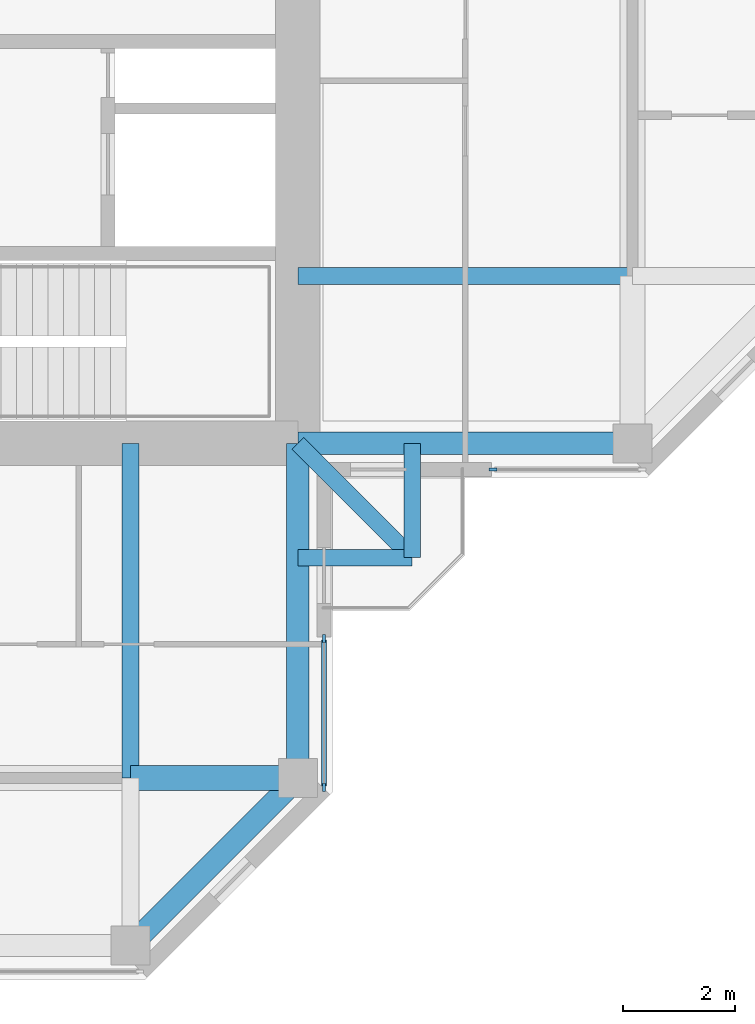
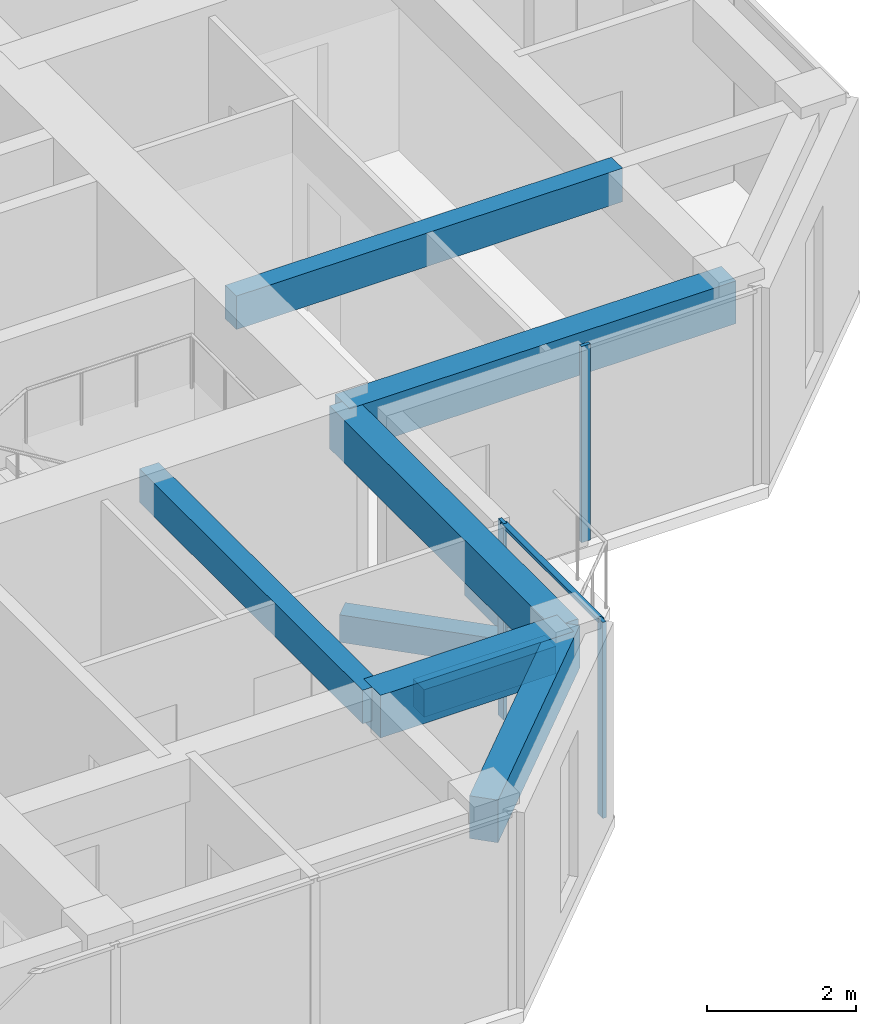
# One storey, part 3 of 13: 9 beams, 4 members, 2 elements without a shape of their own.
"""IFC4 building model written with IfcOpenShell, lengths in metres."""

from ifc_helpers import new_model, si_unit, direction, frame, origin, origin_2d, place, context, subcontext, project, spatial, rectangle, extrude, material, material_profile, profile_set, type_object, element, aggregate, save


model = new_model("IFC4")

# Units and contexts
model_context = context("Model", 3, precision=1e-05, world=origin(), true_north=direction((0.0, 1.0)))
body_context = subcontext(model_context, "Body", "Model", "MODEL_VIEW")
ifc_project = project(units=[si_unit("LENGTHUNIT", "METRE"), si_unit("AREAUNIT", "SQUARE_METRE"), si_unit("VOLUMEUNIT", "CUBIC_METRE"), si_unit("PLANEANGLEUNIT", "RADIAN"), si_unit("MASSUNIT", "GRAM", prefix="KILO")], contexts=[model_context])

# Site, building, storey
site_placement = place(None, origin())
site = spatial("IfcSite", under=ifc_project, at=site_placement, CompositionType="ELEMENT")
building_placement = place(site_placement, origin())
building = spatial("IfcBuilding", under=site, at=building_placement, Name="Torre Cruceta", CompositionType="ELEMENT")
storey_placement = place(building_placement, frame((0.0, 0.0, 261.10009765625)))
storey = spatial("IfcBuildingStorey", under=building, at=storey_placement, Name="L67", CompositionType="ELEMENT", Elevation=261.10009765625)

# Beams
ifc_material_1 = material(Name="Concrete G60 (fck 60 MPa)", Category="concrete")
ifc_material_profile_1 = material_profile(ifc_material_1, rectangle(XDim=0.300048828125, YDim=0.449951171875, at=origin_2d()), Name="RC 300X450")
ifc_profile_set_1 = profile_set([ifc_material_profile_1], Name="Concrete G60 (fck 60 MPa)")
beam_type_1 = type_object("IfcBeamType", Name="BALCONY CANTILEVER BEAM RC 300X450", PredefinedType="BEAM", material=ifc_profile_set_1)
beam_1_placement = place(storey_placement, frame((9.0, -9.0, -0.405029296875), z_axis=(0.707106781187, -0.707106781187, 0.0), x_axis=(0.707106781187, 0.707106781187, 0.0)))
element("IfcBeam", 1, at=beam_1_placement, inside=storey, type_object=beam_type_1, Name="BB1 balcony beam L67 S", PredefinedType="BEAM", context=body_context, shape_type="SweptSolid", body=[
    extrude(rectangle(XDim=0.300048828125, YDim=0.449951171875, at=origin_2d()), origin(), (0.0, 0.0, 1.0), 2.89990234375),
])
for number, where, z_axis, x_axis, name in (
    (2, (11.050537109375, -9.0, -0.405029296875), (0.0, -1.0, 0.0), (1.0, 0.0, 0.0), "BB1 balcony edge beam L67 S-X"),
    (3, (9.0, -11.050537109375, -0.405029296875), (1.0, 0.0, 0.0), (0.0, 1.0, 0.0), "BB1 balcony edge beam L67 S-Y"),
):
    element("IfcBeam", number, at=place(storey_placement, frame(where, z_axis=z_axis, x_axis=x_axis)), inside=storey, type_object=beam_type_1, Name=name, PredefinedType="BEAM", context=body_context, shape_type="SweptSolid", body=[
        extrude(rectangle(XDim=0.300048828125, YDim=0.449951171875, at=origin_2d()), origin(), (0.0, 0.0, 1.0), 2.050537109375),
    ])
ifc_material_2 = material(Name="Concrete G60 (fck 60 MPa)", Category="concrete")
ifc_material_profile_2 = material_profile(ifc_material_2, rectangle(XDim=0.300048828125, YDim=0.550048828125, at=origin_2d()), Name="RC 300X550")
ifc_profile_set_2 = profile_set([ifc_material_profile_2], Name="Concrete G60 (fck 60 MPa)")
beam_type_2 = type_object("IfcBeamType", Name="COLUMN LINE BEAM RC 300X550", PredefinedType="BEAM", material=ifc_profile_set_2)
for number, where, z_axis, x_axis, name in (
    (4, (9.0, -6.0, 2.94482421875), (1.0, 0.0, 0.0), (0.0, 1.0, 0.0), "LB10 L67 E col- 1"),
    (5, (6.0, -9.0, 2.94482421875), (0.0, -1.0, 0.0), (1.0, 0.0, 0.0), "LB10 L67 S col+ 1"),
):
    element("IfcBeam", number, at=place(storey_placement, frame(where, z_axis=z_axis, x_axis=x_axis)), inside=storey, type_object=beam_type_2, Name=name, PredefinedType="BEAM", context=body_context, shape_type="SweptSolid", body=[
        extrude(rectangle(XDim=0.300048828125, YDim=0.550048828125, at=origin_2d()), origin(), (0.0, 0.0, 1.0), 6.0),
    ])
ifc_material_3 = material(Name="Concrete G60 (fck 60 MPa)", Category="concrete")
ifc_material_profile_3 = material_profile(ifc_material_3, rectangle(XDim=0.449951171875, YDim=0.699951171875, at=origin_2d()), Name="RC 450X700")
ifc_profile_set_3 = profile_set([ifc_material_profile_3], Name="Concrete G60 (fck 60 MPa)")
beam_type_3 = type_object("IfcBeamType", Name="CROSS BEAM RC 450X700", PredefinedType="BEAM", material=ifc_profile_set_3)
beam_2_placement = place(storey_placement, frame((6.0, -15.0, 2.869873046875), z_axis=(1.0, 0.0, 0.0), x_axis=(0.0, 1.0, 0.0)))
element("IfcBeam", 6, at=beam_2_placement, inside=storey, type_object=beam_type_3, Name="GB8 L67 S cross15 4", PredefinedType="BEAM", context=body_context, shape_type="SweptSolid", body=[
    extrude(rectangle(XDim=0.449951171875, YDim=0.699951171875, at=origin_2d()), origin(), (0.0, 0.0, 1.0), 3.0),
])

# Curtain wall, member
ifc_material_4 = material(Name="Aluminium unitised curtain wall", Category="aluminium")
curtain_wall_type = type_object("IfcCurtainWallType", Name="CURTAIN WALL CW-E CO-LIVING TOP", PredefinedType="USERDEFINED", material=ifc_material_4)
curtain_wall_1_placement = place(storey_placement, origin())
curtain_wall_1 = element("IfcCurtainWall", 7, at=curtain_wall_1_placement, inside=storey, type_object=curtain_wall_type, Name="CW-E L67 E side 00", ObjectType="UNITISED", PredefinedType="USERDEFINED")
ifc_material_5 = material(Name="Aluminium mullion", Category="aluminium")
ifc_material_profile_4 = material_profile(ifc_material_5, rectangle(XDim=0.054931640625, YDim=0.139892578125, at=origin_2d()), Name="AL 55X140")
ifc_profile_set_4 = profile_set([ifc_material_profile_4], Name="Aluminium mullion")
member_type_1 = type_object("IfcMemberType", Name="CW-E MULLION 55X140", PredefinedType="MULLION", material=ifc_profile_set_4)
member_1_placement = place(storey_placement, frame((12.49755859375, -9.469970703125, 0.0), z_axis=(0.0, 0.0, 1.0), x_axis=(0.0, 1.0, 0.0)))
member_1 = element("IfcMember", 8, at=member_1_placement, type_object=member_type_1, Name="CW-E mullion 1", PredefinedType="MULLION", context=body_context, shape_type="SweptSolid", body=[
    extrude(rectangle(XDim=0.054931640625, YDim=0.139892578125, at=origin_2d()), origin(), (0.0, 0.0, 1.0), 3.219970703125),
])
aggregate(curtain_wall_1, [member_1])

# Curtain wall, members
curtain_wall_2_placement = place(storey_placement, origin())
curtain_wall_2 = element("IfcCurtainWall", 9, at=curtain_wall_2_placement, inside=storey, type_object=curtain_wall_type, Name="CW-E L67 S side 19", ObjectType="UNITISED", PredefinedType="USERDEFINED")
member_2_placement = place(storey_placement, frame((9.469970703125, -15.167236328125, 0.0), z_axis=(0.0, 0.0, 1.0), x_axis=(-1.0, 0.0, 0.0)))
member_2 = element("IfcMember", 10, at=member_2_placement, type_object=member_type_1, Name="CW-E mullion 1", PredefinedType="MULLION", context=body_context, shape_type="SweptSolid", body=[
    extrude(rectangle(XDim=0.054931640625, YDim=0.139892578125, at=origin_2d()), origin(), (0.0, 0.0, 1.0), 3.219970703125),
])
member_3_placement = place(storey_placement, frame((9.469970703125, -12.49755859375, 0.0), z_axis=(0.0, 0.0, 1.0), x_axis=(-1.0, 0.0, 0.0)))
member_3 = element("IfcMember", 11, at=member_3_placement, type_object=member_type_1, Name="CW-E mullion 2", PredefinedType="MULLION", context=body_context, shape_type="SweptSolid", body=[
    extrude(rectangle(XDim=0.054931640625, YDim=0.139892578125, at=origin_2d()), origin(), (0.0, 0.0, 1.0), 3.219970703125),
])
ifc_material_6 = material(Name="Aluminium transom", Category="aluminium")
ifc_material_profile_5 = material_profile(ifc_material_6, rectangle(XDim=0.090087890625, YDim=0.054931640625, at=origin_2d()), Name="AL 90X55")
ifc_profile_set_5 = profile_set([ifc_material_profile_5], Name="Aluminium transom")
member_type_2 = type_object("IfcMemberType", Name="CW-E TRANSOM 55X90", PredefinedType="USERDEFINED", material=ifc_profile_set_5)
member_4_placement = place(storey_placement, frame((9.469970703125, -15.1396484375, 3.1923828125), z_axis=(0.0, 1.0, 0.0), x_axis=(-1.0, 0.0, 0.0)))
member_4 = element("IfcMember", 12, at=member_4_placement, type_object=member_type_2, Name="CW-E transom 1", ObjectType="TRANSOM", PredefinedType="USERDEFINED", context=body_context, shape_type="SweptSolid", body=[
    extrude(rectangle(XDim=0.090087890625, YDim=0.054931640625, at=origin_2d()), origin(), (0.0, 0.0, 1.0), 2.61474609375),
])
aggregate(curtain_wall_2, [member_2, member_3, member_4])

# Beams
ifc_material_7 = material(Name="Concrete G60 (fck 60 MPa)", Category="concrete")
ifc_material_profile_6 = material_profile(ifc_material_7, rectangle(XDim=0.39990234375, YDim=0.699951171875, at=origin_2d()), Name="RC 400X700")
ifc_profile_set_6 = profile_set([ifc_material_profile_6], Name="Concrete G60 (fck 60 MPa)")
beam_type_4 = type_object("IfcBeamType", Name="SPANDREL BEAM RC 400X700", PredefinedType="SPANDREL", material=ifc_profile_set_6)
for number, where, z_axis, x_axis, name in (
    (13, (9.0, -9.0, 2.869873046875), (1.0, 0.0, 0.0), (0.0, 1.0, 0.0), "SB8 L67 E side- 1"),
    (14, (9.0, -9.0, 2.869873046875), (0.0, -1.0, 0.0), (1.0, 0.0, 0.0), "SB8 L67 S side+ 1"),
):
    element("IfcBeam", number, at=place(storey_placement, frame(where, z_axis=z_axis, x_axis=x_axis)), inside=storey, type_object=beam_type_4, Name=name, PredefinedType="SPANDREL", context=body_context, shape_type="SweptSolid", body=[
        extrude(rectangle(XDim=0.39990234375, YDim=0.699951171875, at=origin_2d()), origin(), (0.0, 0.0, 1.0), 6.0),
    ])
beam_3_placement = place(storey_placement, frame((9.0, -15.0, 2.869873046875), z_axis=(-0.707106781187, -0.707106781187, 0.0), x_axis=(0.707106781187, -0.707106781187, 0.0)))
element("IfcBeam", 15, at=beam_3_placement, inside=storey, type_object=beam_type_4, Name="SB8 L67 S side+ 2", PredefinedType="SPANDREL", context=body_context, shape_type="SweptSolid", body=[
    extrude(rectangle(XDim=0.39990234375, YDim=0.699951171875, at=origin_2d()), origin(), (0.0, 0.0, 1.0), 4.24267578125),
])

save(model, "model.ifc")
